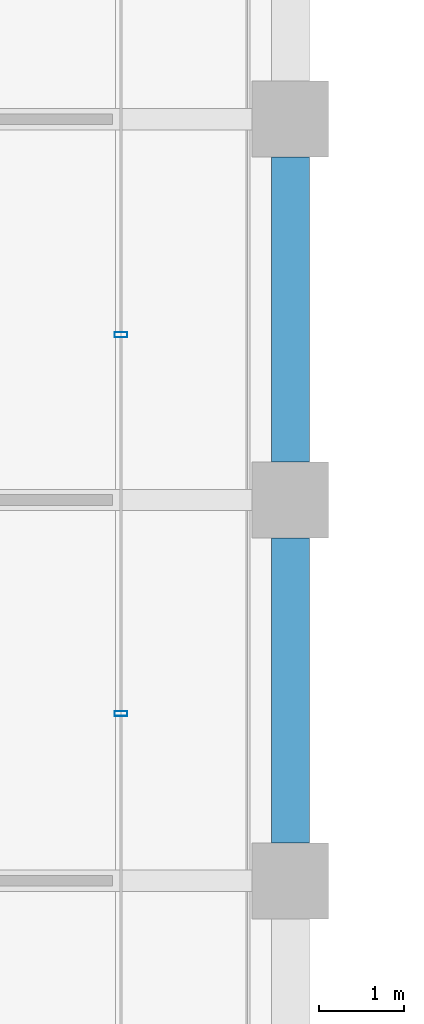
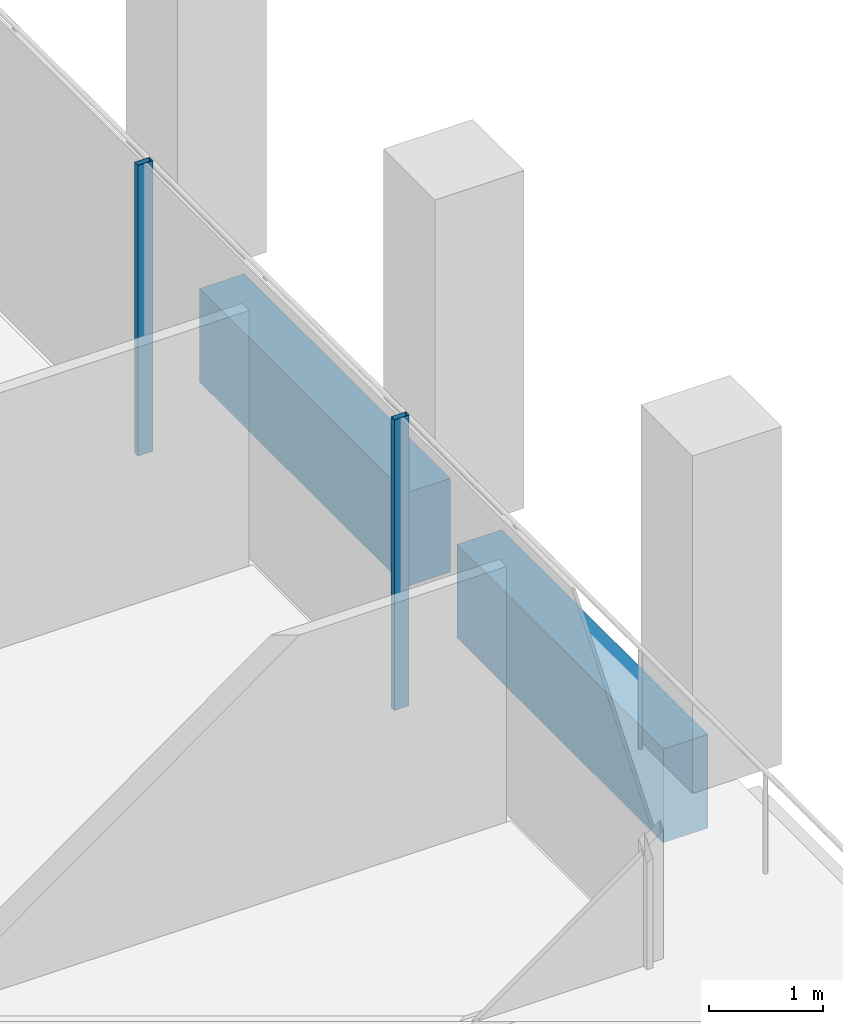
# One storey, part 15 of 40: 2 beams, 2 members, 1 element without a shape of its own.
"""IFC4 building model written with IfcOpenShell, lengths in metres."""

from ifc_helpers import new_model, si_unit, direction, frame, origin, origin_2d, place, context, subcontext, project, spatial, rectangle, hollow_rectangle, extrude, material, material_profile, profile_set, type_object, element, aggregate, save


model = new_model("IFC4")

# Units and contexts
model_context = context("Model", 3, precision=1e-05, world=origin(), true_north=direction((0.0, 1.0)))
body_context = subcontext(model_context, "Body", "Model", "MODEL_VIEW")
ifc_project = project(units=[si_unit("LENGTHUNIT", "METRE"), si_unit("AREAUNIT", "SQUARE_METRE"), si_unit("VOLUMEUNIT", "CUBIC_METRE"), si_unit("PLANEANGLEUNIT", "RADIAN"), si_unit("MASSUNIT", "GRAM", prefix="KILO")], contexts=[model_context])

# Site, building, storey
site_placement = place(None, origin())
site = spatial("IfcSite", under=ifc_project, at=site_placement, CompositionType="ELEMENT")
building_placement = place(site_placement, origin())
building = spatial("IfcBuilding", under=site, at=building_placement, Name="Altepetl Exchange Towers", CompositionType="ELEMENT")
storey_placement = place(building_placement, frame((0.0, 0.0, 147.39990234375)))
storey = spatial("IfcBuildingStorey", under=building, at=storey_placement, Name="L36", CompositionType="ELEMENT", Elevation=147.39990234375)

# Curtain wall, members
ifc_material_1 = material(Name="Aluminium 6063-T6 glazing", Category="aluminium")
curtain_wall_type = type_object("IfcCurtainWallType", Name="Loggia glazing system", PredefinedType="NOTDEFINED", material=ifc_material_1)
curtain_wall_placement = place(storey_placement, origin())
curtain_wall = element("IfcCurtainWall", 1, at=curtain_wall_placement, inside=storey, type_object=curtain_wall_type, Name="CW1 run", PredefinedType="NOTDEFINED")
ifc_material_2 = material(Name="Aluminium 6063-T6", Category="aluminium")
ifc_material_profile_1 = material_profile(ifc_material_2, hollow_rectangle(XDim=0.06005859375, YDim=0.14990234375, WallThickness=0.0029296875, at=origin_2d()), Name="Mullion 60x150 aluminium")
ifc_profile_set_1 = profile_set([ifc_material_profile_1], Name="Aluminium 6063-T6")
member_type = type_object("IfcMemberType", Name="Mullion 60x150 aluminium", PredefinedType="MULLION", material=ifc_profile_set_1)
member_1_placement = place(storey_placement, frame((70.0, 37.97607421875, 0.0), z_axis=(0.0, 0.0, 1.0), x_axis=(0.0, 1.0, 0.0)))
member_1 = element("IfcMember", 2, at=member_1_placement, type_object=member_type, Name="MU1 mullion", PredefinedType="MULLION", context=body_context, shape_type="SweptSolid", body=[
    extrude(hollow_rectangle(XDim=0.06005859375, YDim=0.14990234375, WallThickness=0.0029296875, at=origin_2d()), origin(), (0.0, 0.0, 1.0), 3.10009765625),
])
member_2_placement = place(storey_placement, frame((70.0, 42.451904296875, 0.0), z_axis=(0.0, 0.0, 1.0), x_axis=(0.0, 1.0, 0.0)))
member_2 = element("IfcMember", 3, at=member_2_placement, type_object=member_type, Name="MU1 mullion", PredefinedType="MULLION", context=body_context, shape_type="SweptSolid", body=[
    extrude(hollow_rectangle(XDim=0.06005859375, YDim=0.14990234375, WallThickness=0.0029296875, at=origin_2d()), origin(), (0.0, 0.0, 1.0), 3.10009765625),
])
aggregate(curtain_wall, [member_1, member_2])

# Beams
ifc_material_3 = material(Name="Concrete C50/60 precast with cantera amarilla facing", Category="concrete")
ifc_material_profile_2 = material_profile(ifc_material_3, rectangle(XDim=0.449951171875, YDim=1.0, at=origin_2d()), Name="450 x 1000")
ifc_profile_set_2 = profile_set([ifc_material_profile_2], Name="Concrete C50/60 precast with cantera amarilla facing")
beam_type = type_object("IfcBeamType", Name="Spandrel beam 450x1000 cantera amarilla", PredefinedType="SPANDREL", material=ifc_profile_set_2)
for number, where, z_axis, x_axis, name in (
    (4, (72.0, 36.449951171875, -0.64990234375), (0.0, 1.0, 0.0), (-1.0, 0.0, 0.0), "sp:A:L36:013"),
    (5, (72.0, 40.949951171875, -0.64990234375), (0.0, 1.0, 0.0), (-1.0, 0.0, 0.0), "sp:A:L36:014"),
):
    element("IfcBeam", number, at=place(storey_placement, frame(where, z_axis=z_axis, x_axis=x_axis)), inside=storey, type_object=beam_type, Name=name, PredefinedType="SPANDREL", context=body_context, shape_type="SweptSolid", body=[
        extrude(rectangle(XDim=0.449951171875, YDim=1.0, at=origin_2d()), origin(), (0.0, 0.0, 1.0), 3.60009765625),
    ])

save(model, "model.ifc")
